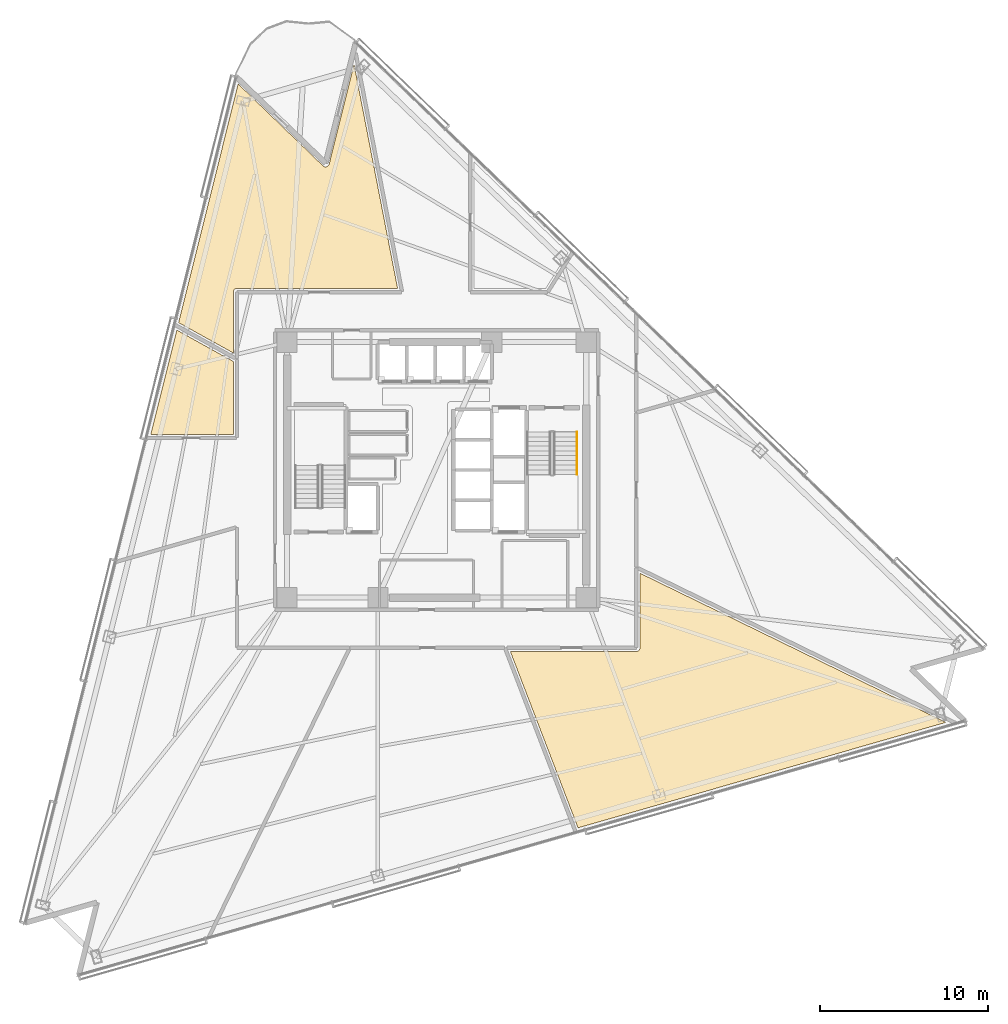
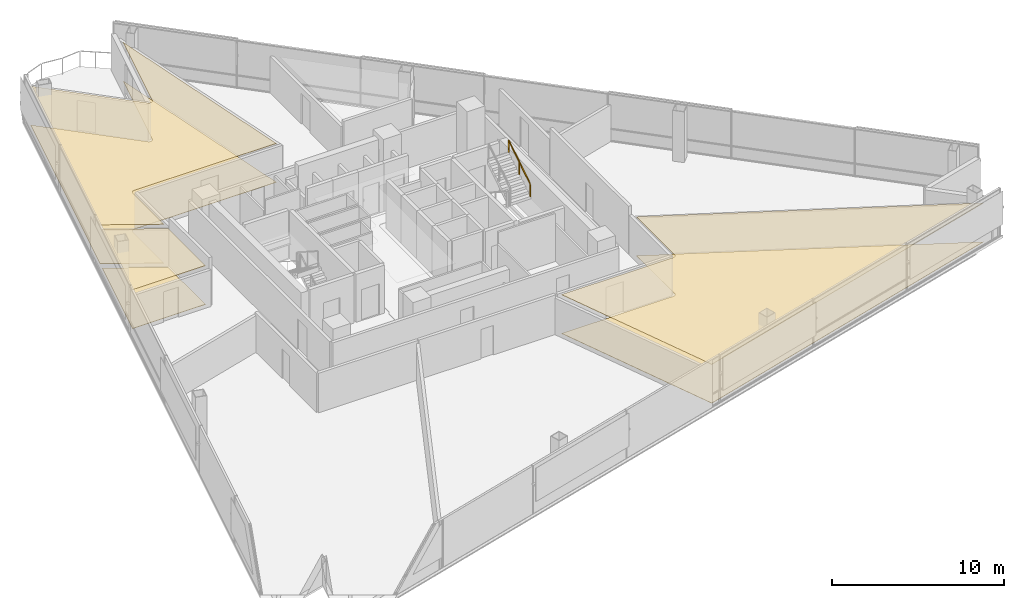
# One storey, part 16 of 17: 6 coverings, 1 railing.
"""IFC4 building model written with IfcOpenShell, lengths in metres."""

from ifc_helpers import new_model, si_unit, direction, frame, origin, origin_2d, place, context, subcontext, project, spatial, polyline, rectangle, outline, extrude, material, layer, layer_set, type_object, element, save


model = new_model("IFC4")

# Units and contexts
model_context = context("Model", 3, precision=1e-05, world=origin(), true_north=direction((0.0, 1.0)))
body_context = subcontext(model_context, "Body", "Model", "MODEL_VIEW")
ifc_project = project(units=[si_unit("LENGTHUNIT", "METRE"), si_unit("AREAUNIT", "SQUARE_METRE"), si_unit("VOLUMEUNIT", "CUBIC_METRE"), si_unit("PLANEANGLEUNIT", "RADIAN"), si_unit("MASSUNIT", "GRAM", prefix="KILO")], contexts=[model_context])

# Site, building, storey
site_placement = place(None, origin())
site = spatial("IfcSite", under=ifc_project, at=site_placement, CompositionType="ELEMENT")
building_placement = place(site_placement, origin())
building = spatial("IfcBuilding", under=site, at=building_placement, Name="Tharavind Bronze Gate", CompositionType="ELEMENT")
storey_placement = place(building_placement, frame((0.0, 0.0, 93.300048828125)))
storey = spatial("IfcBuildingStorey", under=building, at=storey_placement, Name="L23", CompositionType="ELEMENT", Elevation=93.300048828125)

# Coverings
ifc_material_1 = material(Name="Perforated Bronze Acoustic Panel", Category="bronze")
ifc_layer_1 = layer(ifc_material_1, 0.044921875)
ifc_layer_set_1 = layer_set([ifc_layer_1], Name="Perforated Bronze Acoustic Panel")
covering_type_1 = type_object("IfcCoveringType", Name="ACOUSTIC BRONZE BAFFLE CEILING", PredefinedType="CEILING", material=ifc_layer_set_1)
covering_1_placement = place(storey_placement, frame((0.0, 0.0, 2.75)))
element("IfcCovering", 1, at=covering_1_placement, inside=storey, type_object=covering_type_1, Name="L23-RM-03 suspended ceiling", PredefinedType="CEILING", context=body_context, shape_type="SweptSolid", body=[
    extrude(outline(polyline([(-12.10009765625, 6.958740234375), (-12.10009765625, 10.579345703125), (-12.099609375, 10.590087890625), (-12.099609375, 10.5908203125), (-12.09765625, 10.6123046875), (-12.093505859375, 10.63330078125), (-12.087158203125, 10.654052734375), (-12.078857421875, 10.674072265625), (-12.068603515625, 10.693115234375), (-12.056640625, 10.7109375), (-12.04296875, 10.727783203125), (-12.027587890625, 10.742919921875), (-12.010986328125, 10.756591796875), (-11.9931640625, 10.768798828125), (-11.97412109375, 10.77880859375), (-11.9541015625, 10.787109375), (-11.933349609375, 10.79345703125), (-11.912353515625, 10.797607421875), (-11.890869140625, 10.7998046875), (-11.89013671875, 10.7998046875), (-11.87939453125, 10.800048828125), (-2.323486328125, 10.800048828125), (-4.91650390625, 24.1396484375), (-6.39697265625, 18.201171875), (-6.39990234375, 18.1904296875), (-6.400146484375, 18.18994140625), (-6.407470703125, 18.169189453125), (-6.4169921875, 18.1494140625), (-6.42822265625, 18.130615234375), (-6.44140625, 18.11328125), (-6.456298828125, 18.096923828125), (-6.47265625, 18.08251953125), (-6.490234375, 18.069580078125), (-6.50927734375, 18.05859375), (-6.529296875, 18.04931640625), (-6.550048828125, 18.042236328125), (-6.5712890625, 18.037353515625), (-6.593017578125, 18.034423828125), (-6.614990234375, 18.03369140625), (-6.636962890625, 18.035400390625), (-6.658447265625, 18.0390625), (-6.6796875, 18.044921875), (-6.7001953125, 18.052734375), (-6.7197265625, 18.062744140625), (-6.738037109375, 18.074462890625), (-6.75537109375, 18.088134765625), (-6.755859375, 18.08837890625), (-6.763916015625, 18.095947265625), (-11.8125, 22.97119140625), (-15.35498046875, 8.762939453125), (-12.10009765625, 6.958740234375)])), origin(), (0.0, 0.0, 1.0), 0.034912109375),
])
covering_2_placement = place(storey_placement, frame((0.0, 0.0, 2.75)))
element("IfcCovering", 2, at=covering_2_placement, inside=storey, type_object=covering_type_1, Name="L23-RM-07 suspended ceiling", PredefinedType="CEILING", context=body_context, shape_type="SweptSolid", body=[
    extrude(outline(polyline([(8.412109375, -21.30029296875), (30.301513671875, -15.023681640625), (12.10009765625, -6.146240234375), (12.10009765625, -10.579345703125), (12.099609375, -10.590087890625), (12.099609375, -10.5908203125), (12.09765625, -10.6123046875), (12.093505859375, -10.63330078125), (12.087158203125, -10.654052734375), (12.078857421875, -10.674072265625), (12.068603515625, -10.693115234375), (12.056640625, -10.7109375), (12.04296875, -10.727783203125), (12.027587890625, -10.742919921875), (12.010986328125, -10.756591796875), (11.9931640625, -10.768798828125), (11.97412109375, -10.77880859375), (11.9541015625, -10.787109375), (11.933349609375, -10.79345703125), (11.912353515625, -10.797607421875), (11.890869140625, -10.7998046875), (11.89013671875, -10.7998046875), (11.87939453125, -10.800048828125), (4.38134765625, -10.800048828125), (8.412109375, -21.30029296875)])), origin(), (0.0, 0.0, 1.0), 0.034912109375),
])
ifc_material_2 = material(Name="Engineered Oak & Carpet Tile", Category="wood")
ifc_layer_2 = layer(ifc_material_2, 0.02490234375)
ifc_layer_set_2 = layer_set([ifc_layer_2], Name="Engineered Oak & Carpet Tile")
covering_type_2 = type_object("IfcCoveringType", Name="ENGINEERED TIMBER FLOORING", PredefinedType="FLOORING", material=ifc_layer_set_2)
covering_3_placement = place(storey_placement, origin())
element("IfcCovering", 3, at=covering_3_placement, inside=storey, type_object=covering_type_2, Name="L23-RM-03 floor finish", PredefinedType="FLOORING", context=body_context, shape_type="SweptSolid", body=[
    extrude(outline(polyline([(-12.10009765625, 6.958740234375), (-12.10009765625, 10.579345703125), (-12.099609375, 10.590087890625), (-12.099609375, 10.5908203125), (-12.09765625, 10.6123046875), (-12.093505859375, 10.63330078125), (-12.087158203125, 10.654052734375), (-12.078857421875, 10.674072265625), (-12.068603515625, 10.693115234375), (-12.056640625, 10.7109375), (-12.04296875, 10.727783203125), (-12.027587890625, 10.742919921875), (-12.010986328125, 10.756591796875), (-11.9931640625, 10.768798828125), (-11.97412109375, 10.77880859375), (-11.9541015625, 10.787109375), (-11.933349609375, 10.79345703125), (-11.912353515625, 10.797607421875), (-11.890869140625, 10.7998046875), (-11.89013671875, 10.7998046875), (-11.87939453125, 10.800048828125), (-2.323486328125, 10.800048828125), (-4.91650390625, 24.1396484375), (-6.39697265625, 18.201171875), (-6.39990234375, 18.1904296875), (-6.400146484375, 18.18994140625), (-6.407470703125, 18.169189453125), (-6.4169921875, 18.1494140625), (-6.42822265625, 18.130615234375), (-6.44140625, 18.11328125), (-6.456298828125, 18.096923828125), (-6.47265625, 18.08251953125), (-6.490234375, 18.069580078125), (-6.50927734375, 18.05859375), (-6.529296875, 18.04931640625), (-6.550048828125, 18.042236328125), (-6.5712890625, 18.037353515625), (-6.593017578125, 18.034423828125), (-6.614990234375, 18.03369140625), (-6.636962890625, 18.035400390625), (-6.658447265625, 18.0390625), (-6.6796875, 18.044921875), (-6.7001953125, 18.052734375), (-6.7197265625, 18.062744140625), (-6.738037109375, 18.074462890625), (-6.75537109375, 18.088134765625), (-6.755859375, 18.08837890625), (-6.763916015625, 18.095947265625), (-11.8125, 22.97119140625), (-15.35498046875, 8.762939453125), (-12.10009765625, 6.958740234375)])), origin(), (0.0, 0.0, 1.0), 0.02490234375),
])
covering_4_placement = place(storey_placement, origin())
element("IfcCovering", 4, at=covering_4_placement, inside=storey, type_object=covering_type_2, Name="L23-RM-04 floor finish", PredefinedType="FLOORING", context=body_context, shape_type="SweptSolid", body=[
    extrude(outline(polyline([(-12.10009765625, 2.1201171875), (-12.10009765625, 6.45556640625), (-15.465087890625, 8.32080078125), (-17.01123046875, 2.1201171875), (-12.10009765625, 2.1201171875)])), origin(), (0.0, 0.0, 1.0), 0.02490234375),
])
covering_5_placement = place(storey_placement, origin())
element("IfcCovering", 5, at=covering_5_placement, inside=storey, type_object=covering_type_2, Name="L23-RM-07 floor finish", PredefinedType="FLOORING", context=body_context, shape_type="SweptSolid", body=[
    extrude(outline(polyline([(8.412109375, -21.30029296875), (30.301513671875, -15.023681640625), (12.10009765625, -6.146240234375), (12.10009765625, -10.579345703125), (12.099609375, -10.590087890625), (12.099609375, -10.5908203125), (12.09765625, -10.6123046875), (12.093505859375, -10.63330078125), (12.087158203125, -10.654052734375), (12.078857421875, -10.674072265625), (12.068603515625, -10.693115234375), (12.056640625, -10.7109375), (12.04296875, -10.727783203125), (12.027587890625, -10.742919921875), (12.010986328125, -10.756591796875), (11.9931640625, -10.768798828125), (11.97412109375, -10.77880859375), (11.9541015625, -10.787109375), (11.933349609375, -10.79345703125), (11.912353515625, -10.797607421875), (11.890869140625, -10.7998046875), (11.89013671875, -10.7998046875), (11.87939453125, -10.800048828125), (4.38134765625, -10.800048828125), (8.412109375, -21.30029296875)])), origin(), (0.0, 0.0, 1.0), 0.02490234375),
])
ifc_material_3 = material(Name="Acoustic Gypsum Board", Category="gypsum")
ifc_layer_3 = layer(ifc_material_3, 0.030029296875)
ifc_layer_set_3 = layer_set([ifc_layer_3], Name="Acoustic Gypsum Board")
covering_type_3 = type_object("IfcCoveringType", Name="GYPSUM SUSPENDED CEILING", PredefinedType="CEILING", material=ifc_layer_set_3)
covering_6_placement = place(storey_placement, frame((0.0, 0.0, 2.75)))
element("IfcCovering", 6, at=covering_6_placement, inside=storey, type_object=covering_type_3, Name="L23-RM-04 suspended ceiling", PredefinedType="CEILING", context=body_context, shape_type="SweptSolid", body=[
    extrude(outline(polyline([(-12.10009765625, 2.1201171875), (-12.10009765625, 6.45556640625), (-15.465087890625, 8.32080078125), (-17.01123046875, 2.1201171875), (-12.10009765625, 2.1201171875)])), origin(), (0.0, 0.0, 1.0), 0.034912109375),
])

# Railing
ifc_material_4 = material(Name="Brushed Bronze Alloy", Category="metal")
railing_type = type_object("IfcRailingType", Name="STAIR BRONZE HANDRAIL 900", PredefinedType="HANDRAIL", material=ifc_material_4)
railing_placement = place(storey_placement, frame((8.35009765625, -0.27001953125, 1.97998046875)))
element("IfcRailing", 7, at=railing_placement, inside=storey, type_object=railing_type, Name="L23 ST2 stair handrail 2", PredefinedType="HANDRAIL", context=body_context, shape_type="SweptSolid", body=[
    extrude(rectangle(XDim=0.048095703125, YDim=0.048095703125, at=origin_2d()), frame((0.0, 0.02685546875, 0.89306640625), z_axis=(0.0, 0.841199657755, 0.540724639528), x_axis=(-1.0, 0.0, 0.0)), (0.0, 0.0, 1.0), 2.931640625),
    extrude(rectangle(XDim=0.0400390625, YDim=0.0400390625, at=origin_2d()), origin(), (0.0, 0.0, 1.0), 0.847900390625),
    extrude(rectangle(XDim=0.0400390625, YDim=0.0400390625, at=origin_2d()), frame((0.0, 1.260009765625, 0.81005859375)), (0.0, 0.0, 1.0), 0.847900390625),
    extrude(rectangle(XDim=0.0400390625, YDim=0.0400390625, at=origin_2d()), frame((0.0, 2.52001953125, 1.619873046875)), (0.0, 0.0, 1.0), 0.847900390625),
])

save(model, "model.ifc")
